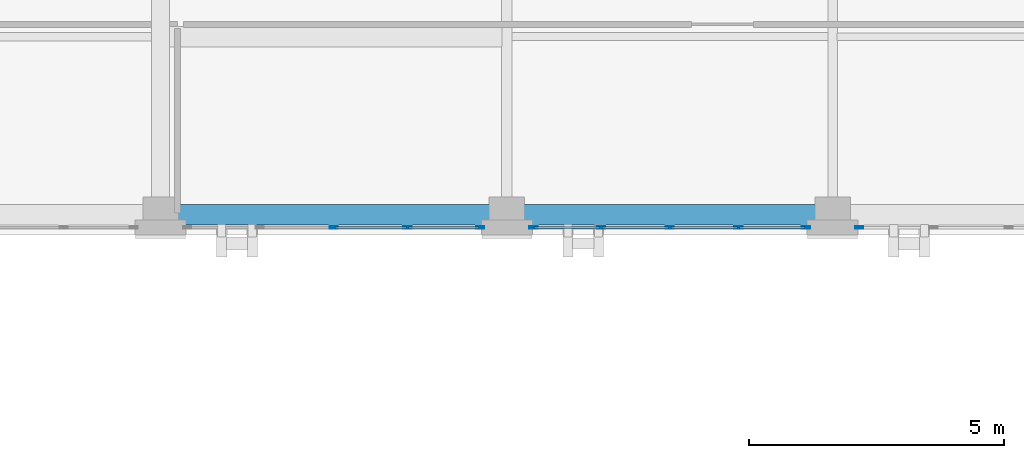
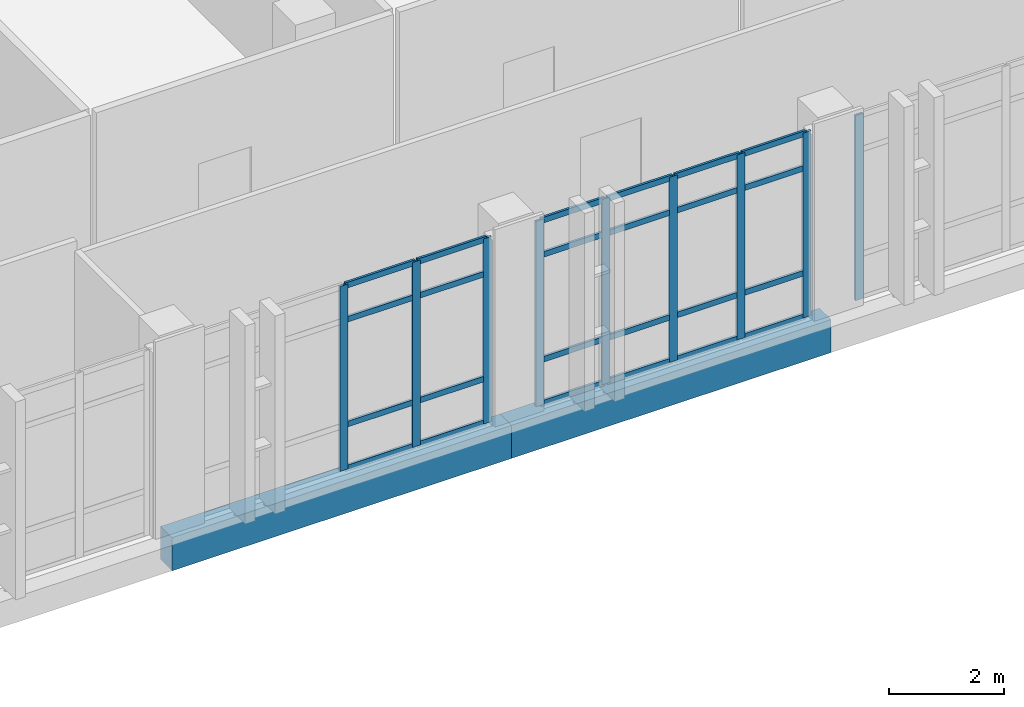
# One storey, part 83 of 165: 33 members, 2 beams, 3 elements without a shape of their own.
"""IFC4 building model written with IfcOpenShell, lengths in metres."""

from ifc_helpers import new_model, si_unit, direction, frame, origin, origin_2d, place, context, subcontext, project, spatial, rectangle, hollow_rectangle, extrude, material, layer, layer_set, material_profile, profile_set, type_object, element, aggregate, save


model = new_model("IFC4")

# Units and contexts
model_context = context("Model", 3, precision=1e-05, world=origin(), true_north=direction((0.0, 1.0)))
body_context = subcontext(model_context, "Body", "Model", "MODEL_VIEW")
ifc_project = project(units=[si_unit("LENGTHUNIT", "METRE"), si_unit("AREAUNIT", "SQUARE_METRE"), si_unit("VOLUMEUNIT", "CUBIC_METRE"), si_unit("PLANEANGLEUNIT", "RADIAN"), si_unit("MASSUNIT", "GRAM", prefix="KILO")], contexts=[model_context])

# Site, building, storey
site_placement = place(None, origin())
site = spatial("IfcSite", under=ifc_project, at=site_placement, CompositionType="ELEMENT")
building_placement = place(site_placement, origin())
building = spatial("IfcBuilding", under=site, at=building_placement, Name="Qalavern Law Courts", CompositionType="ELEMENT")
storey_placement = place(building_placement, frame((0.0, 0.0, 14.39990234375)))
storey = spatial("IfcBuildingStorey", under=building, at=storey_placement, Name="L03", CompositionType="ELEMENT", Elevation=14.39990234375)

# Curtain wall, members
ifc_material_1 = material(Name="Anodised aluminium and insulated glazing", Category="aluminium")
ifc_layer = layer(ifc_material_1, 0.166015625)
ifc_layer_set = layer_set([ifc_layer], Name="Anodised aluminium and insulated glazing")
curtain_wall_type = type_object("IfcCurtainWallType", Name="ENV-CW-LIB", PredefinedType="USERDEFINED", material=ifc_layer_set)
curtain_wall_1_placement = place(storey_placement, origin())
curtain_wall_1 = element("IfcCurtainWall", 1, at=curtain_wall_1_placement, inside=storey, type_object=curtain_wall_type, Name="V5 unitised curtain wall L03 south 4", ObjectType="UNITISED CURTAIN WALL", PredefinedType="USERDEFINED")
ifc_material_2 = material(Name="Anodised aluminium", Category="aluminium")
ifc_material_profile_1 = material_profile(ifc_material_2, hollow_rectangle(XDim=0.048095703125, YDim=0.159912109375, WallThickness=0.00390625, at=origin_2d()), Name="ALU MULLION 48x160")
ifc_profile_set_1 = profile_set([ifc_material_profile_1], Name="Anodised aluminium")
member_type_1 = type_object("IfcMemberType", Name="ENV-CWM-48x160", PredefinedType="MULLION", material=ifc_profile_set_1)
member_1_placement = place(storey_placement, frame((48.199951171875, 96.347412109375, 0.0), z_axis=(0.0, 0.0, 1.0), x_axis=(0.0, 1.0, 0.0)))
member_1 = element("IfcMember", 2, at=member_1_placement, type_object=member_type_1, Name="CW-05 mullion 3", PredefinedType="MULLION", context=body_context, shape_type="SweptSolid", body=[
    extrude(hollow_rectangle(XDim=0.048095703125, YDim=0.159912109375, WallThickness=0.00390625, at=origin_2d()), origin(), (0.0, 0.0, 1.0), 3.920166015625),
])
member_2_placement = place(storey_placement, frame((49.64990234375, 96.347412109375, 0.0), z_axis=(0.0, 0.0, 1.0), x_axis=(0.0, 1.0, 0.0)))
member_2 = element("IfcMember", 3, at=member_2_placement, type_object=member_type_1, Name="CW-05 mullion 4", PredefinedType="MULLION", context=body_context, shape_type="SweptSolid", body=[
    extrude(hollow_rectangle(XDim=0.048095703125, YDim=0.159912109375, WallThickness=0.00390625, at=origin_2d()), origin(), (0.0, 0.0, 1.0), 3.920166015625),
])
member_3_placement = place(storey_placement, frame((51.075927734375, 96.347412109375, 0.0), z_axis=(0.0, 0.0, 1.0), x_axis=(0.0, 1.0, 0.0)))
member_3 = element("IfcMember", 4, at=member_3_placement, type_object=member_type_1, Name="CW-05 mullion 5", PredefinedType="MULLION", context=body_context, shape_type="SweptSolid", body=[
    extrude(hollow_rectangle(XDim=0.048095703125, YDim=0.159912109375, WallThickness=0.00390625, at=origin_2d()), origin(), (0.0, 0.0, 1.0), 3.920166015625),
])

curtain_wall_2_placement = place(storey_placement, origin())
curtain_wall_2 = element("IfcCurtainWall", 5, at=curtain_wall_2_placement, inside=storey, type_object=curtain_wall_type, Name="V5 unitised curtain wall L03 south 5", ObjectType="UNITISED CURTAIN WALL", PredefinedType="USERDEFINED")
member_4_placement = place(storey_placement, frame((52.1240234375, 96.347412109375, 0.0), z_axis=(0.0, 0.0, 1.0), x_axis=(0.0, 1.0, 0.0)))
member_4 = element("IfcMember", 6, at=member_4_placement, type_object=member_type_1, Name="CW-05 mullion 1", PredefinedType="MULLION", context=body_context, shape_type="SweptSolid", body=[
    extrude(hollow_rectangle(XDim=0.048095703125, YDim=0.159912109375, WallThickness=0.00390625, at=origin_2d()), origin(), (0.0, 0.0, 1.0), 3.920166015625),
])
member_5_placement = place(storey_placement, frame((53.449951171875, 96.347412109375, 0.0), z_axis=(0.0, 0.0, 1.0), x_axis=(0.0, 1.0, 0.0)))
member_5 = element("IfcMember", 7, at=member_5_placement, type_object=member_type_1, Name="CW-05 mullion 2", PredefinedType="MULLION", context=body_context, shape_type="SweptSolid", body=[
    extrude(hollow_rectangle(XDim=0.048095703125, YDim=0.159912109375, WallThickness=0.00390625, at=origin_2d()), origin(), (0.0, 0.0, 1.0), 3.920166015625),
])
member_6_placement = place(storey_placement, frame((54.800048828125, 96.347412109375, 0.0), z_axis=(0.0, 0.0, 1.0), x_axis=(0.0, 1.0, 0.0)))
member_6 = element("IfcMember", 8, at=member_6_placement, type_object=member_type_1, Name="CW-05 mullion 3", PredefinedType="MULLION", context=body_context, shape_type="SweptSolid", body=[
    extrude(hollow_rectangle(XDim=0.048095703125, YDim=0.159912109375, WallThickness=0.00390625, at=origin_2d()), origin(), (0.0, 0.0, 1.0), 3.920166015625),
])
member_7_placement = place(storey_placement, frame((56.14990234375, 96.347412109375, 0.0), z_axis=(0.0, 0.0, 1.0), x_axis=(0.0, 1.0, 0.0)))
member_7 = element("IfcMember", 9, at=member_7_placement, type_object=member_type_1, Name="CW-05 mullion 4", PredefinedType="MULLION", context=body_context, shape_type="SweptSolid", body=[
    extrude(hollow_rectangle(XDim=0.048095703125, YDim=0.159912109375, WallThickness=0.00390625, at=origin_2d()), origin(), (0.0, 0.0, 1.0), 3.920166015625),
])
member_8_placement = place(storey_placement, frame((57.47607421875, 96.347412109375, 0.0), z_axis=(0.0, 0.0, 1.0), x_axis=(0.0, 1.0, 0.0)))
member_8 = element("IfcMember", 10, at=member_8_placement, type_object=member_type_1, Name="CW-05 mullion 5", PredefinedType="MULLION", context=body_context, shape_type="SweptSolid", body=[
    extrude(hollow_rectangle(XDim=0.048095703125, YDim=0.159912109375, WallThickness=0.00390625, at=origin_2d()), origin(), (0.0, 0.0, 1.0), 3.920166015625),
])

# Curtain wall, member
curtain_wall_3_placement = place(storey_placement, origin())
curtain_wall_3 = element("IfcCurtainWall", 11, at=curtain_wall_3_placement, inside=storey, type_object=curtain_wall_type, Name="V5 unitised curtain wall L03 south 6", ObjectType="UNITISED CURTAIN WALL", PredefinedType="USERDEFINED")
member_9_placement = place(storey_placement, frame((58.52392578125, 96.347412109375, 0.0), z_axis=(0.0, 0.0, 1.0), x_axis=(0.0, 1.0, 0.0)))
member_9 = element("IfcMember", 12, at=member_9_placement, type_object=member_type_1, Name="CW-05 mullion 1", PredefinedType="MULLION", context=body_context, shape_type="SweptSolid", body=[
    extrude(hollow_rectangle(XDim=0.048095703125, YDim=0.159912109375, WallThickness=0.00390625, at=origin_2d()), origin(), (0.0, 0.0, 1.0), 3.920166015625),
])
aggregate(curtain_wall_3, [member_9])

# Member
ifc_material_profile_2 = material_profile(ifc_material_2, hollow_rectangle(XDim=0.048095703125, YDim=0.1201171875, WallThickness=0.00390625, at=origin_2d()), Name="ALU TRANSOM 48x120")
ifc_profile_set_2 = profile_set([ifc_material_profile_2], Name="Anodised aluminium")
member_type_2 = type_object("IfcMemberType", Name="ENV-CWT-48x120", PredefinedType="USERDEFINED", material=ifc_profile_set_2)
member_10_placement = place(storey_placement, frame((48.22412109375, 96.347412109375, 0.024169921875), z_axis=(1.0, 0.0, 0.0), x_axis=(0.0, 1.0, 0.0)))
member_10 = element("IfcMember", 13, at=member_10_placement, type_object=member_type_2, Name="CW-05 transom 3.1", ObjectType="TRANSOM", PredefinedType="USERDEFINED", context=body_context, shape_type="SweptSolid", body=[
    extrude(hollow_rectangle(XDim=0.048095703125, YDim=0.1201171875, WallThickness=0.00390625, at=origin_2d()), origin(), (0.0, 0.0, 1.0), 1.40185546875),
])

member_11_placement = place(storey_placement, frame((48.22412109375, 96.347412109375, 0.9501953125), z_axis=(1.0, 0.0, 0.0), x_axis=(0.0, 1.0, 0.0)))
member_11 = element("IfcMember", 14, at=member_11_placement, type_object=member_type_2, Name="CW-05 transom 3.2", ObjectType="TRANSOM", PredefinedType="USERDEFINED", context=body_context, shape_type="SweptSolid", body=[
    extrude(hollow_rectangle(XDim=0.048095703125, YDim=0.1201171875, WallThickness=0.00390625, at=origin_2d()), origin(), (0.0, 0.0, 1.0), 1.40185546875),
])

member_12_placement = place(storey_placement, frame((48.22412109375, 96.347412109375, 3.170166015625), z_axis=(1.0, 0.0, 0.0), x_axis=(0.0, 1.0, 0.0)))
member_12 = element("IfcMember", 15, at=member_12_placement, type_object=member_type_2, Name="CW-05 transom 3.3", ObjectType="TRANSOM", PredefinedType="USERDEFINED", context=body_context, shape_type="SweptSolid", body=[
    extrude(hollow_rectangle(XDim=0.048095703125, YDim=0.1201171875, WallThickness=0.00390625, at=origin_2d()), origin(), (0.0, 0.0, 1.0), 1.40185546875),
])

member_13_placement = place(storey_placement, frame((48.22412109375, 96.347412109375, 3.89599609375), z_axis=(1.0, 0.0, 0.0), x_axis=(0.0, 1.0, 0.0)))
member_13 = element("IfcMember", 16, at=member_13_placement, type_object=member_type_2, Name="CW-05 transom 3.4", ObjectType="TRANSOM", PredefinedType="USERDEFINED", context=body_context, shape_type="SweptSolid", body=[
    extrude(hollow_rectangle(XDim=0.048095703125, YDim=0.1201171875, WallThickness=0.00390625, at=origin_2d()), origin(), (0.0, 0.0, 1.0), 1.40185546875),
])

member_14_placement = place(storey_placement, frame((49.674072265625, 96.347412109375, 0.024169921875), z_axis=(1.0, 0.0, 0.0), x_axis=(0.0, 1.0, 0.0)))
member_14 = element("IfcMember", 17, at=member_14_placement, type_object=member_type_2, Name="CW-05 transom 4.1", ObjectType="TRANSOM", PredefinedType="USERDEFINED", context=body_context, shape_type="SweptSolid", body=[
    extrude(hollow_rectangle(XDim=0.048095703125, YDim=0.1201171875, WallThickness=0.00390625, at=origin_2d()), origin(), (0.0, 0.0, 1.0), 1.3779296875),
])

member_15_placement = place(storey_placement, frame((49.674072265625, 96.347412109375, 0.9501953125), z_axis=(1.0, 0.0, 0.0), x_axis=(0.0, 1.0, 0.0)))
member_15 = element("IfcMember", 18, at=member_15_placement, type_object=member_type_2, Name="CW-05 transom 4.2", ObjectType="TRANSOM", PredefinedType="USERDEFINED", context=body_context, shape_type="SweptSolid", body=[
    extrude(hollow_rectangle(XDim=0.048095703125, YDim=0.1201171875, WallThickness=0.00390625, at=origin_2d()), origin(), (0.0, 0.0, 1.0), 1.3779296875),
])

member_16_placement = place(storey_placement, frame((49.674072265625, 96.347412109375, 3.170166015625), z_axis=(1.0, 0.0, 0.0), x_axis=(0.0, 1.0, 0.0)))
member_16 = element("IfcMember", 19, at=member_16_placement, type_object=member_type_2, Name="CW-05 transom 4.3", ObjectType="TRANSOM", PredefinedType="USERDEFINED", context=body_context, shape_type="SweptSolid", body=[
    extrude(hollow_rectangle(XDim=0.048095703125, YDim=0.1201171875, WallThickness=0.00390625, at=origin_2d()), origin(), (0.0, 0.0, 1.0), 1.3779296875),
])

member_17_placement = place(storey_placement, frame((49.674072265625, 96.347412109375, 3.89599609375), z_axis=(1.0, 0.0, 0.0), x_axis=(0.0, 1.0, 0.0)))
member_17 = element("IfcMember", 20, at=member_17_placement, type_object=member_type_2, Name="CW-05 transom 4.4", ObjectType="TRANSOM", PredefinedType="USERDEFINED", context=body_context, shape_type="SweptSolid", body=[
    extrude(hollow_rectangle(XDim=0.048095703125, YDim=0.1201171875, WallThickness=0.00390625, at=origin_2d()), origin(), (0.0, 0.0, 1.0), 1.3779296875),
])

aggregate(curtain_wall_1, [member_1, member_2, member_3, member_10, member_11, member_12, member_13, member_14, member_15, member_16, member_17])

member_18_placement = place(storey_placement, frame((52.14794921875, 96.347412109375, 0.024169921875), z_axis=(1.0, 0.0, 0.0), x_axis=(0.0, 1.0, 0.0)))
member_18 = element("IfcMember", 21, at=member_18_placement, type_object=member_type_2, Name="CW-05 transom 1.1", ObjectType="TRANSOM", PredefinedType="USERDEFINED", context=body_context, shape_type="SweptSolid", body=[
    extrude(hollow_rectangle(XDim=0.048095703125, YDim=0.1201171875, WallThickness=0.00390625, at=origin_2d()), origin(), (0.0, 0.0, 1.0), 1.278076171875),
])

member_19_placement = place(storey_placement, frame((52.14794921875, 96.347412109375, 0.9501953125), z_axis=(1.0, 0.0, 0.0), x_axis=(0.0, 1.0, 0.0)))
member_19 = element("IfcMember", 22, at=member_19_placement, type_object=member_type_2, Name="CW-05 transom 1.2", ObjectType="TRANSOM", PredefinedType="USERDEFINED", context=body_context, shape_type="SweptSolid", body=[
    extrude(hollow_rectangle(XDim=0.048095703125, YDim=0.1201171875, WallThickness=0.00390625, at=origin_2d()), origin(), (0.0, 0.0, 1.0), 1.278076171875),
])

member_20_placement = place(storey_placement, frame((52.14794921875, 96.347412109375, 3.170166015625), z_axis=(1.0, 0.0, 0.0), x_axis=(0.0, 1.0, 0.0)))
member_20 = element("IfcMember", 23, at=member_20_placement, type_object=member_type_2, Name="CW-05 transom 1.3", ObjectType="TRANSOM", PredefinedType="USERDEFINED", context=body_context, shape_type="SweptSolid", body=[
    extrude(hollow_rectangle(XDim=0.048095703125, YDim=0.1201171875, WallThickness=0.00390625, at=origin_2d()), origin(), (0.0, 0.0, 1.0), 1.278076171875),
])

member_21_placement = place(storey_placement, frame((52.14794921875, 96.347412109375, 3.89599609375), z_axis=(1.0, 0.0, 0.0), x_axis=(0.0, 1.0, 0.0)))
member_21 = element("IfcMember", 24, at=member_21_placement, type_object=member_type_2, Name="CW-05 transom 1.4", ObjectType="TRANSOM", PredefinedType="USERDEFINED", context=body_context, shape_type="SweptSolid", body=[
    extrude(hollow_rectangle(XDim=0.048095703125, YDim=0.1201171875, WallThickness=0.00390625, at=origin_2d()), origin(), (0.0, 0.0, 1.0), 1.278076171875),
])

member_22_placement = place(storey_placement, frame((53.47412109375, 96.347412109375, 0.024169921875), z_axis=(1.0, 0.0, 0.0), x_axis=(0.0, 1.0, 0.0)))
member_22 = element("IfcMember", 25, at=member_22_placement, type_object=member_type_2, Name="CW-05 transom 2.1", ObjectType="TRANSOM", PredefinedType="USERDEFINED", context=body_context, shape_type="SweptSolid", body=[
    extrude(hollow_rectangle(XDim=0.048095703125, YDim=0.1201171875, WallThickness=0.00390625, at=origin_2d()), origin(), (0.0, 0.0, 1.0), 1.3017578125),
])

member_23_placement = place(storey_placement, frame((53.47412109375, 96.347412109375, 0.9501953125), z_axis=(1.0, 0.0, 0.0), x_axis=(0.0, 1.0, 0.0)))
member_23 = element("IfcMember", 26, at=member_23_placement, type_object=member_type_2, Name="CW-05 transom 2.2", ObjectType="TRANSOM", PredefinedType="USERDEFINED", context=body_context, shape_type="SweptSolid", body=[
    extrude(hollow_rectangle(XDim=0.048095703125, YDim=0.1201171875, WallThickness=0.00390625, at=origin_2d()), origin(), (0.0, 0.0, 1.0), 1.3017578125),
])

member_24_placement = place(storey_placement, frame((53.47412109375, 96.347412109375, 3.170166015625), z_axis=(1.0, 0.0, 0.0), x_axis=(0.0, 1.0, 0.0)))
member_24 = element("IfcMember", 27, at=member_24_placement, type_object=member_type_2, Name="CW-05 transom 2.3", ObjectType="TRANSOM", PredefinedType="USERDEFINED", context=body_context, shape_type="SweptSolid", body=[
    extrude(hollow_rectangle(XDim=0.048095703125, YDim=0.1201171875, WallThickness=0.00390625, at=origin_2d()), origin(), (0.0, 0.0, 1.0), 1.3017578125),
])

member_25_placement = place(storey_placement, frame((53.47412109375, 96.347412109375, 3.89599609375), z_axis=(1.0, 0.0, 0.0), x_axis=(0.0, 1.0, 0.0)))
member_25 = element("IfcMember", 28, at=member_25_placement, type_object=member_type_2, Name="CW-05 transom 2.4", ObjectType="TRANSOM", PredefinedType="USERDEFINED", context=body_context, shape_type="SweptSolid", body=[
    extrude(hollow_rectangle(XDim=0.048095703125, YDim=0.1201171875, WallThickness=0.00390625, at=origin_2d()), origin(), (0.0, 0.0, 1.0), 1.3017578125),
])

member_26_placement = place(storey_placement, frame((54.823974609375, 96.347412109375, 0.024169921875), z_axis=(1.0, 0.0, 0.0), x_axis=(0.0, 1.0, 0.0)))
member_26 = element("IfcMember", 29, at=member_26_placement, type_object=member_type_2, Name="CW-05 transom 3.1", ObjectType="TRANSOM", PredefinedType="USERDEFINED", context=body_context, shape_type="SweptSolid", body=[
    extrude(hollow_rectangle(XDim=0.048095703125, YDim=0.1201171875, WallThickness=0.00390625, at=origin_2d()), origin(), (0.0, 0.0, 1.0), 1.302001953125),
])

member_27_placement = place(storey_placement, frame((54.823974609375, 96.347412109375, 0.9501953125), z_axis=(1.0, 0.0, 0.0), x_axis=(0.0, 1.0, 0.0)))
member_27 = element("IfcMember", 30, at=member_27_placement, type_object=member_type_2, Name="CW-05 transom 3.2", ObjectType="TRANSOM", PredefinedType="USERDEFINED", context=body_context, shape_type="SweptSolid", body=[
    extrude(hollow_rectangle(XDim=0.048095703125, YDim=0.1201171875, WallThickness=0.00390625, at=origin_2d()), origin(), (0.0, 0.0, 1.0), 1.302001953125),
])

member_28_placement = place(storey_placement, frame((54.823974609375, 96.347412109375, 3.170166015625), z_axis=(1.0, 0.0, 0.0), x_axis=(0.0, 1.0, 0.0)))
member_28 = element("IfcMember", 31, at=member_28_placement, type_object=member_type_2, Name="CW-05 transom 3.3", ObjectType="TRANSOM", PredefinedType="USERDEFINED", context=body_context, shape_type="SweptSolid", body=[
    extrude(hollow_rectangle(XDim=0.048095703125, YDim=0.1201171875, WallThickness=0.00390625, at=origin_2d()), origin(), (0.0, 0.0, 1.0), 1.302001953125),
])

member_29_placement = place(storey_placement, frame((54.823974609375, 96.347412109375, 3.89599609375), z_axis=(1.0, 0.0, 0.0), x_axis=(0.0, 1.0, 0.0)))
member_29 = element("IfcMember", 32, at=member_29_placement, type_object=member_type_2, Name="CW-05 transom 3.4", ObjectType="TRANSOM", PredefinedType="USERDEFINED", context=body_context, shape_type="SweptSolid", body=[
    extrude(hollow_rectangle(XDim=0.048095703125, YDim=0.1201171875, WallThickness=0.00390625, at=origin_2d()), origin(), (0.0, 0.0, 1.0), 1.302001953125),
])

member_30_placement = place(storey_placement, frame((56.174072265625, 96.347412109375, 0.024169921875), z_axis=(1.0, 0.0, 0.0), x_axis=(0.0, 1.0, 0.0)))
member_30 = element("IfcMember", 33, at=member_30_placement, type_object=member_type_2, Name="CW-05 transom 4.1", ObjectType="TRANSOM", PredefinedType="USERDEFINED", context=body_context, shape_type="SweptSolid", body=[
    extrude(hollow_rectangle(XDim=0.048095703125, YDim=0.1201171875, WallThickness=0.00390625, at=origin_2d()), origin(), (0.0, 0.0, 1.0), 1.27783203125),
])

member_31_placement = place(storey_placement, frame((56.174072265625, 96.347412109375, 0.9501953125), z_axis=(1.0, 0.0, 0.0), x_axis=(0.0, 1.0, 0.0)))
member_31 = element("IfcMember", 34, at=member_31_placement, type_object=member_type_2, Name="CW-05 transom 4.2", ObjectType="TRANSOM", PredefinedType="USERDEFINED", context=body_context, shape_type="SweptSolid", body=[
    extrude(hollow_rectangle(XDim=0.048095703125, YDim=0.1201171875, WallThickness=0.00390625, at=origin_2d()), origin(), (0.0, 0.0, 1.0), 1.27783203125),
])

member_32_placement = place(storey_placement, frame((56.174072265625, 96.347412109375, 3.170166015625), z_axis=(1.0, 0.0, 0.0), x_axis=(0.0, 1.0, 0.0)))
member_32 = element("IfcMember", 35, at=member_32_placement, type_object=member_type_2, Name="CW-05 transom 4.3", ObjectType="TRANSOM", PredefinedType="USERDEFINED", context=body_context, shape_type="SweptSolid", body=[
    extrude(hollow_rectangle(XDim=0.048095703125, YDim=0.1201171875, WallThickness=0.00390625, at=origin_2d()), origin(), (0.0, 0.0, 1.0), 1.27783203125),
])

member_33_placement = place(storey_placement, frame((56.174072265625, 96.347412109375, 3.89599609375), z_axis=(1.0, 0.0, 0.0), x_axis=(0.0, 1.0, 0.0)))
member_33 = element("IfcMember", 36, at=member_33_placement, type_object=member_type_2, Name="CW-05 transom 4.4", ObjectType="TRANSOM", PredefinedType="USERDEFINED", context=body_context, shape_type="SweptSolid", body=[
    extrude(hollow_rectangle(XDim=0.048095703125, YDim=0.1201171875, WallThickness=0.00390625, at=origin_2d()), origin(), (0.0, 0.0, 1.0), 1.27783203125),
])

aggregate(curtain_wall_2, [member_4, member_5, member_6, member_7, member_8, member_18, member_19, member_20, member_21, member_22, member_23, member_24, member_25, member_26, member_27, member_28, member_29, member_30, member_31, member_32, member_33])

# Beams
ifc_material_3 = material(Name="Concrete C40/50", Category="concrete")
ifc_material_profile_3 = material_profile(ifc_material_3, rectangle(XDim=0.39990234375, YDim=0.699951171875, at=origin_2d()), Name="RC 400x700")
ifc_profile_set_3 = profile_set([ifc_material_profile_3], Name="Concrete C40/50")
beam_type = type_object("IfcBeamType", Name="STR-SP-RC400x700", PredefinedType="SPANDREL", material=ifc_profile_set_3)
beam_1_placement = place(storey_placement, frame((44.800048828125, 96.60009765625, -0.635009765625), z_axis=(1.0, 0.0, 0.0), x_axis=(0.0, 1.0, 0.0)))
element("IfcBeam", 37, at=beam_1_placement, inside=storey, type_object=beam_type, Name="V5 X-beam 1-6 L03", PredefinedType="SPANDREL", context=body_context, shape_type="SweptSolid", body=[
    extrude(rectangle(XDim=0.39990234375, YDim=0.699951171875, at=origin_2d()), origin(), (0.0, 0.0, 1.0), 6.800048828125),
])
beam_2_placement = place(storey_placement, frame((51.60009765625, 96.60009765625, -0.635009765625), z_axis=(1.0, 0.0, 0.0), x_axis=(0.0, 1.0, 0.0)))
element("IfcBeam", 38, at=beam_2_placement, inside=storey, type_object=beam_type, Name="V5 X-beam 1-7 L03", PredefinedType="SPANDREL", context=body_context, shape_type="SweptSolid", body=[
    extrude(rectangle(XDim=0.39990234375, YDim=0.699951171875, at=origin_2d()), origin(), (0.0, 0.0, 1.0), 6.39990234375),
])

save(model, "model.ifc")
